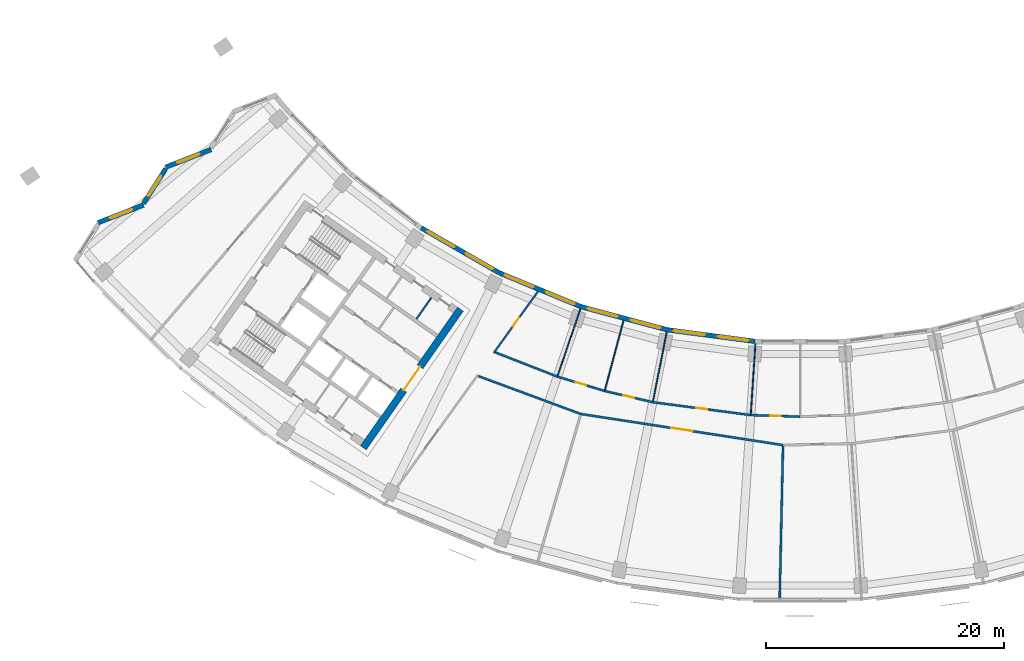
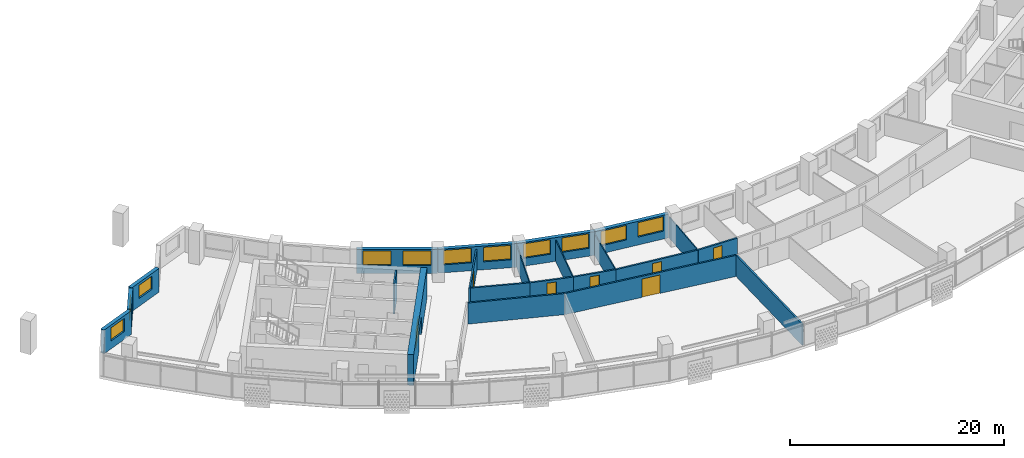
# One storey, part 4 of 26: 22 walls, 11 windows, 7 doors, 18 openings.
"""IFC4 building model written with IfcOpenShell, lengths in metres."""

from ifc_helpers import new_model, si_unit, direction, frame, frame_2d, origin, place, context, subcontext, project, spatial, rectangle, extrude, material, layer, layer_set, type_object, element, fill, save


model = new_model("IFC4")

# Units and contexts
model_context = context("Model", 3, precision=1e-05, world=origin(), true_north=direction((0.0, 1.0)))
body_context = subcontext(model_context, "Body", "Model", "MODEL_VIEW")
ifc_project = project(units=[si_unit("LENGTHUNIT", "METRE"), si_unit("AREAUNIT", "SQUARE_METRE"), si_unit("VOLUMEUNIT", "CUBIC_METRE"), si_unit("PLANEANGLEUNIT", "RADIAN"), si_unit("MASSUNIT", "GRAM", prefix="KILO")], contexts=[model_context])

# Site, building, storey
site_placement = place(None, origin())
site = spatial("IfcSite", under=ifc_project, at=site_placement, CompositionType="ELEMENT")
building_placement = place(site_placement, origin())
building = spatial("IfcBuilding", under=site, at=building_placement, Name="Qamariyya Broadcast Tower", CompositionType="ELEMENT")
storey_placement = place(building_placement, frame((0.0, 0.0, 168.300048828125)))
storey = spatial("IfcBuildingStorey", under=building, at=storey_placement, Name="L39", CompositionType="ELEMENT", Elevation=168.300048828125)

# Wall, opening, door
ifc_material_1 = material(Name="Concrete C60/75", Category="concrete")
ifc_layer_1 = layer(ifc_material_1, 0.60009765625)
ifc_layer_set_1 = layer_set([ifc_layer_1], Name="Core wall 600 mm Concrete C60/75")
wall_type_1 = type_object("IfcWallType", Name="Core wall 600 mm Concrete C60/75", PredefinedType="SHEAR", material=ifc_layer_set_1)
wall_1_placement = place(storey_placement, frame((-36.66748046875, -66.005126953125, 0.0), z_axis=(0.0, 0.0, 1.0), x_axis=(0.573568499524, 0.819157601658, 0.0)))
wall_1 = element("IfcWall", 1, at=wall_1_placement, inside=storey, type_object=wall_type_1, Name="k-W-L39-WA", PredefinedType="SHEAR", context=body_context, shape_type="SweptSolid", body=[
    extrude(rectangle(XDim=14.19970703125, YDim=0.60009765625, at=frame_2d((7.099853515625, 0.0))), origin(), (0.0, 0.0, 1.0), 3.5),
])
opening_1_placement = place(wall_1_placement, frame((5.89990234375, 0.0, 0.0)))
opening_1 = element("IfcOpeningElement", 2, at=opening_1_placement, cuts=wall_1, Name="Opening KD3-W1", PredefinedType="OPENING", context=body_context, shape_type="SweptSolid", body=[
    extrude(rectangle(XDim=2.39990234375, YDim=2.10009765625, at=frame_2d((1.199951171875, 1.050048828125))), frame((0.0, 0.31005859375, 0.0), z_axis=(0.0, -1.0, 0.0), x_axis=(1.0, 0.0, 0.0)), (0.0, 0.0, 1.0), 0.6201171875),
])
ifc_material_2 = material(Name="Steel fire-resisting door leaf", Category="steel")
door_type_1 = type_object("IfcDoorType", Name="Lift lobby door KD3", OperationType="DOUBLE_DOOR_SINGLE_SWING", PredefinedType="DOOR", material=ifc_material_2)
door_1_placement = place(opening_1_placement, origin())
door_1 = element("IfcDoor", 3, at=door_1_placement, inside=storey, type_object=door_type_1, Name="k-W-L39-WA-D1", OperationType="DOUBLE_DOOR_SINGLE_SWING", OverallHeight=2.10009765625, OverallWidth=2.39990234375, PredefinedType="DOOR", context=body_context, shape_type="SweptSolid", body=[
    extrude(rectangle(XDim=2.39990234375, YDim=2.10009765625, at=frame_2d((1.199951171875, 1.050048828125))), frame((0.0, 0.02490234375, 0.0), z_axis=(0.0, -1.0, 0.0), x_axis=(1.0, 0.0, 0.0)), (0.0, 0.0, 1.0), 0.050048828125),
])
fill(opening_1, door_1)

ifc_material_3 = material(Name="Gypsum board partition")
ifc_layer_2 = layer(ifc_material_3, 0.14990234375)
ifc_layer_set_2 = layer_set([ifc_layer_2], Name="Corridor partition 150 EI 60")
wall_type_2 = type_object("IfcWallType", Name="Corridor partition 150 EI 60", PredefinedType="PARTITIONING", material=ifc_layer_set_2)
wall_2_placement = place(storey_placement, frame((-22.0, -52.873046875, 0.0), z_axis=(0.0, 0.0, 1.0), x_axis=(-0.584145217468, -0.811649163684, 0.0)))
wall_2 = element("IfcWall", 4, at=wall_2_placement, inside=storey, type_object=wall_type_2, Name="Partition L39-006", PredefinedType="PARTITIONING", context=body_context, shape_type="SweptSolid", body=[
    extrude(rectangle(XDim=6.37109375, YDim=0.14990234375, at=frame_2d((3.185546875, 0.0))), origin(), (0.0, 0.0, 1.0), 2.39990234375),
])
opening_2_placement = place(wall_2_placement, frame((2.735595703125, 0.0, 0.0)))
opening_2 = element("IfcOpeningElement", 5, at=opening_2_placement, cuts=wall_2, Name="Opening L39-D06", PredefinedType="OPENING", context=body_context, shape_type="SweptSolid", body=[
    extrude(rectangle(XDim=0.89990234375, YDim=2.10009765625, at=frame_2d((0.449951171875, 1.050048828125))), frame((0.0, 0.0849609375, 0.0), z_axis=(0.0, -1.0, 0.0), x_axis=(1.0, 0.0, 0.0)), (0.0, 0.0, 1.0), 0.169921875),
])
ifc_material_4 = material(Name="Timber fire door leaf", Category="wood")
door_type_2 = type_object("IfcDoorType", Name="Fire door 900 x 2100 FD60", OperationType="NOTDEFINED", PredefinedType="DOOR", material=ifc_material_4)
door_2_placement = place(opening_2_placement, origin())
door_2 = element("IfcDoor", 6, at=door_2_placement, inside=storey, type_object=door_type_2, Name="Door L39-D06", OperationType="SINGLE_SWING_RIGHT", OverallHeight=2.10009765625, OverallWidth=0.89990234375, PredefinedType="DOOR", context=body_context, shape_type="SweptSolid", body=[
    extrude(rectangle(XDim=0.89990234375, YDim=2.10009765625, at=frame_2d((0.449951171875, 1.050048828125))), frame((0.0, 0.02490234375, 0.0), z_axis=(0.0, -1.0, 0.0), x_axis=(1.0, 0.0, 0.0)), (0.0, 0.0, 1.0), 0.050048828125),
])
fill(opening_2, door_2)

# Walls
ifc_material_5 = material(Name="Gypsum board partition on steel studs", Category="steel")
ifc_layer_3 = layer(ifc_material_5, 0.14990234375)
ifc_layer_set_3 = layer_set([ifc_layer_3], Name="Gypsum board partition 150 mm")
wall_type_3 = type_object("IfcWallType", Name="Gypsum board partition 150 mm", PredefinedType="PARTITIONING", material=ifc_layer_set_3)
wall_3_placement = place(storey_placement, frame((-32.2177734375, -55.204345703125, 0.0), z_axis=(0.0, 0.0, 1.0), x_axis=(0.573581496053, 0.819148501424, 0.0)))
element("IfcWall", 7, at=wall_3_placement, inside=storey, type_object=wall_type_3, Name="k-W-L39-NP225", PredefinedType="PARTITIONING", context=body_context, shape_type="SweptSolid", body=[
    extrude(rectangle(XDim=2.2001953125, YDim=0.14990234375, at=frame_2d((1.10009765625, 0.0))), origin(), (0.0, 0.0, 1.0), 3.5),
])
ifc_layer_4 = layer(ifc_material_3, 0.10009765625)
ifc_layer_set_4 = layer_set([ifc_layer_4], Name="Partition 100")
wall_type_4 = type_object("IfcWallType", Name="Partition 100", PredefinedType="PARTITIONING", material=ifc_layer_set_4)
wall_4_placement = place(storey_placement, frame((-18.45068359375, -54.353759765625, 0.0), z_axis=(0.0, 0.0, 1.0), x_axis=(-0.321427983423, -0.94693402699, 0.0)))
element("IfcWall", 8, at=wall_4_placement, inside=storey, type_object=wall_type_4, Name="Partition L39-009", PredefinedType="PARTITIONING", context=body_context, shape_type="SweptSolid", body=[
    extrude(rectangle(XDim=5.91015625, YDim=0.10009765625, at=frame_2d((2.955078125, 0.0))), origin(), (0.0, 0.0, 1.0), 2.39990234375),
])
wall_5_placement = place(storey_placement, frame((-14.82470703125, -55.326171875, 0.0), z_axis=(0.0, 0.0, 1.0), x_axis=(-0.25878598704, -0.965934683564, 0.0)))
element("IfcWall", 9, at=wall_5_placement, inside=storey, type_object=wall_type_4, Name="Partition L39-011", PredefinedType="PARTITIONING", context=body_context, shape_type="SweptSolid", body=[
    extrude(rectangle(XDim=6.0322265625, YDim=0.10009765625, at=frame_2d((3.01611328125, 0.0))), origin(), (0.0, 0.0, 1.0), 2.39990234375),
])
wall_6_placement = place(storey_placement, frame((-11.1982421875, -56.297119140625, 0.0), z_axis=(0.0, 0.0, 1.0), x_axis=(-0.195067376167, -0.980789844337, 0.0)))
element("IfcWall", 10, at=wall_6_placement, inside=storey, type_object=wall_type_4, Name="Partition L39-013", PredefinedType="PARTITIONING", context=body_context, shape_type="SweptSolid", body=[
    extrude(rectangle(XDim=5.909912109375, YDim=0.10009765625, at=frame_2d((2.955078125, 0.0))), origin(), (0.0, 0.0, 1.0), 2.39990234375),
])
wall_7_placement = place(storey_placement, frame((-3.754150390625, -57.277099609375, 0.0), z_axis=(0.0, 0.0, 1.0), x_axis=(-0.065392110393, -0.99785964539, 0.0)))
element("IfcWall", 11, at=wall_7_placement, inside=storey, type_object=wall_type_4, Name="Partition L39-015", PredefinedType="PARTITIONING", context=body_context, shape_type="SweptSolid", body=[
    extrude(rectangle(XDim=5.91015625, YDim=0.10009765625, at=frame_2d((2.955078125, 0.0))), origin(), (0.0, 0.0, 1.0), 2.39990234375),
])
ifc_layer_5 = layer(ifc_material_3, 0.179931640625)
ifc_layer_set_5 = layer_set([ifc_layer_5], Name="Studio acoustic partition 180 EI 60")
wall_type_5 = type_object("IfcWallType", Name="Studio acoustic partition 180 EI 60", PredefinedType="PARTITIONING", material=ifc_layer_set_5)
wall_8_placement = place(storey_placement, frame((-27.0302734375, -59.98583984375, 0.0), z_axis=(0.0, 0.0, 1.0), x_axis=(0.93796819355, -0.346721311557, 0.0)))
element("IfcWall", 12, at=wall_8_placement, inside=storey, type_object=wall_type_5, Name="Partition L39-003", PredefinedType="PARTITIONING", context=body_context, shape_type="SweptSolid", body=[
    extrude(rectangle(XDim=9.185546875, YDim=0.179931640625, at=frame_2d((4.5927734375, 0.0))), origin(), (0.0, 0.0, 1.0), 2.39990234375),
])
wall_9_placement = place(storey_placement, frame((-25.599365234375, -57.998291015625, 0.0), z_axis=(0.0, 0.0, 1.0), x_axis=(0.931580498527, -0.363535108021, 0.0)))
element("IfcWall", 13, at=wall_9_placement, inside=storey, type_object=wall_type_5, Name="Partition L39-004", PredefinedType="PARTITIONING", context=body_context, shape_type="SweptSolid", body=[
    extrude(rectangle(XDim=5.603515625, YDim=0.179931640625, at=frame_2d((2.8017578125, 0.0))), origin(), (0.0, 0.0, 1.0), 2.39990234375),
])

# Wall, opening, door
wall_10_placement = place(storey_placement, frame((-20.379150390625, -60.035400390625, 0.0), z_axis=(0.0, 0.0, 1.0), x_axis=(0.956935765286, -0.290299743568, 0.0)))
wall_10 = element("IfcWall", 14, at=wall_10_placement, inside=storey, type_object=wall_type_5, Name="Partition L39-007", PredefinedType="PARTITIONING", context=body_context, shape_type="SweptSolid", body=[
    extrude(rectangle(XDim=4.148681640625, YDim=0.179931640625, at=frame_2d((2.07421875, 0.0))), origin(), (0.0, 0.0, 1.0), 2.39990234375),
])
opening_3_placement = place(wall_10_placement, frame((1.62451171875, 0.0, 0.0)))
opening_3 = element("IfcOpeningElement", 15, at=opening_3_placement, cuts=wall_10, Name="Opening L39-D07", PredefinedType="OPENING", context=body_context, shape_type="SweptSolid", body=[
    extrude(rectangle(XDim=0.89990234375, YDim=2.10009765625, at=frame_2d((0.449951171875, 1.050048828125))), frame((0.0, 0.099853515625, 0.0), z_axis=(0.0, -1.0, 0.0), x_axis=(1.0, 0.0, 0.0)), (0.0, 0.0, 1.0), 0.199951171875),
])
door_3_placement = place(opening_3_placement, origin())
door_3 = element("IfcDoor", 16, at=door_3_placement, inside=storey, type_object=door_type_2, Name="Door L39-D07", OperationType="SINGLE_SWING_RIGHT", OverallHeight=2.10009765625, OverallWidth=0.89990234375, PredefinedType="DOOR", context=body_context, shape_type="SweptSolid", body=[
    extrude(rectangle(XDim=0.89990234375, YDim=2.10009765625, at=frame_2d((0.449951171875, 1.050048828125))), frame((0.0, 0.02490234375, 0.0), z_axis=(0.0, -1.0, 0.0), x_axis=(1.0, 0.0, 0.0)), (0.0, 0.0, 1.0), 0.050048828125),
])
fill(opening_3, door_3)

wall_11_placement = place(storey_placement, frame((-1.437255859375, -65.7841796875, 0.0), z_axis=(0.0, 0.0, 1.0), x_axis=(-0.988357398133, 0.152150102058, 0.0)))
wall_11 = element("IfcWall", 17, at=wall_11_placement, inside=storey, type_object=wall_type_5, Name="Partition L39-008", PredefinedType="PARTITIONING", context=body_context, shape_type="SweptSolid", body=[
    extrude(rectangle(XDim=17.17724609375, YDim=0.179931640625, at=frame_2d((8.588623046875, 0.0))), origin(), (0.0, 0.0, 1.0), 2.39990234375),
])
opening_4_placement = place(wall_11_placement, frame((7.688720703125, 0.0, 0.0)))
opening_4 = element("IfcOpeningElement", 18, at=opening_4_placement, cuts=wall_11, Name="Opening L39-D02", PredefinedType="OPENING", context=body_context, shape_type="SweptSolid", body=[
    extrude(rectangle(XDim=1.800048828125, YDim=2.10009765625, at=frame_2d((0.89990234375, 1.050048828125))), frame((0.0, 0.099853515625, 0.0), z_axis=(0.0, -1.0, 0.0), x_axis=(1.0, 0.0, 0.0)), (0.0, 0.0, 1.0), 0.199951171875),
])
door_type_3 = type_object("IfcDoorType", Name="Double fire door 1800 x 2100 FD60", OperationType="NOTDEFINED", PredefinedType="DOOR", material=ifc_material_4)
door_4_placement = place(opening_4_placement, origin())
door_4 = element("IfcDoor", 19, at=door_4_placement, inside=storey, type_object=door_type_3, Name="Door L39-D02", OperationType="DOUBLE_DOOR_SINGLE_SWING", OverallHeight=2.10009765625, OverallWidth=1.800048828125, PredefinedType="DOOR", context=body_context, shape_type="SweptSolid", body=[
    extrude(rectangle(XDim=1.800048828125, YDim=2.10009765625, at=frame_2d((0.89990234375, 1.050048828125))), frame((0.0, 0.02490234375, 0.0), z_axis=(0.0, -1.0, 0.0), x_axis=(1.0, 0.0, 0.0)), (0.0, 0.0, 1.0), 0.050048828125),
])
fill(opening_4, door_4)

wall_12_placement = place(storey_placement, frame((-16.4091796875, -61.23974609375, 0.0), z_axis=(0.0, 0.0, 1.0), x_axis=(0.973875922187, -0.227080796599, 0.0)))
wall_12 = element("IfcWall", 20, at=wall_12_placement, inside=storey, type_object=wall_type_5, Name="Partition L39-010", PredefinedType="PARTITIONING", context=body_context, shape_type="SweptSolid", body=[
    extrude(rectangle(XDim=4.14892578125, YDim=0.179931640625, at=frame_2d((2.074462890625, 0.0))), origin(), (0.0, 0.0, 1.0), 2.39990234375),
])
opening_5_placement = place(wall_12_placement, frame((1.62451171875, 0.0, 0.0)))
opening_5 = element("IfcOpeningElement", 21, at=opening_5_placement, cuts=wall_12, Name="Opening L39-D08", PredefinedType="OPENING", context=body_context, shape_type="SweptSolid", body=[
    extrude(rectangle(XDim=0.89990234375, YDim=2.10009765625, at=frame_2d((0.449951171875, 1.050048828125))), frame((0.0, 0.099853515625, 0.0), z_axis=(0.0, -1.0, 0.0), x_axis=(1.0, 0.0, 0.0)), (0.0, 0.0, 1.0), 0.199951171875),
])
door_5_placement = place(opening_5_placement, origin())
door_5 = element("IfcDoor", 22, at=door_5_placement, inside=storey, type_object=door_type_2, Name="Door L39-D08", OperationType="SINGLE_SWING_RIGHT", OverallHeight=2.10009765625, OverallWidth=0.89990234375, PredefinedType="DOOR", context=body_context, shape_type="SweptSolid", body=[
    extrude(rectangle(XDim=0.89990234375, YDim=2.10009765625, at=frame_2d((0.449951171875, 1.050048828125))), frame((0.0, 0.02490234375, 0.0), z_axis=(0.0, -1.0, 0.0), x_axis=(1.0, 0.0, 0.0)), (0.0, 0.0, 1.0), 0.050048828125),
])
fill(opening_5, door_5)

wall_13_placement = place(storey_placement, frame((-12.36865234375, -62.181884765625, 0.0), z_axis=(0.0, 0.0, 1.0), x_axis=(0.991447881484, -0.130503250152, 0.0)))
wall_13 = element("IfcWall", 23, at=wall_13_placement, inside=storey, type_object=wall_type_5, Name="Partition L39-012", PredefinedType="PARTITIONING", context=body_context, shape_type="SweptSolid", body=[
    extrude(rectangle(XDim=8.293212890625, YDim=0.179931640625, at=frame_2d((4.146484375, 0.0))), origin(), (0.0, 0.0, 1.0), 2.39990234375),
])
opening_6_placement = place(wall_13_placement, frame((3.696533203125, 0.0, 0.0)))
opening_6 = element("IfcOpeningElement", 24, at=opening_6_placement, cuts=wall_13, Name="Opening L39-D09", PredefinedType="OPENING", context=body_context, shape_type="SweptSolid", body=[
    extrude(rectangle(XDim=0.89990234375, YDim=2.10009765625, at=frame_2d((0.449951171875, 1.050048828125))), frame((0.0, 0.099853515625, 0.0), z_axis=(0.0, -1.0, 0.0), x_axis=(1.0, 0.0, 0.0)), (0.0, 0.0, 1.0), 0.199951171875),
])
door_6_placement = place(opening_6_placement, origin())
door_6 = element("IfcDoor", 25, at=door_6_placement, inside=storey, type_object=door_type_2, Name="Door L39-D09", OperationType="SINGLE_SWING_RIGHT", OverallHeight=2.10009765625, OverallWidth=0.89990234375, PredefinedType="DOOR", context=body_context, shape_type="SweptSolid", body=[
    extrude(rectangle(XDim=0.89990234375, YDim=2.10009765625, at=frame_2d((0.449951171875, 1.050048828125))), frame((0.0, 0.02490234375, 0.0), z_axis=(0.0, -1.0, 0.0), x_axis=(1.0, 0.0, 0.0)), (0.0, 0.0, 1.0), 0.050048828125),
])
fill(opening_6, door_6)

wall_14_placement = place(storey_placement, frame((-4.146484375, -63.26416015625, 0.0), z_axis=(0.0, 0.0, 1.0), x_axis=(0.999464584765, -0.032719165634, 0.0)))
wall_14 = element("IfcWall", 26, at=wall_14_placement, inside=storey, type_object=wall_type_5, Name="Partition L39-014", PredefinedType="PARTITIONING", context=body_context, shape_type="SweptSolid", body=[
    extrude(rectangle(XDim=4.148681640625, YDim=0.179931640625, at=frame_2d((2.07421875, 0.0))), origin(), (0.0, 0.0, 1.0), 2.39990234375),
])
opening_7_placement = place(wall_14_placement, frame((1.62451171875, 0.0, 0.0)))
opening_7 = element("IfcOpeningElement", 27, at=opening_7_placement, cuts=wall_14, Name="Opening L39-D10", PredefinedType="OPENING", context=body_context, shape_type="SweptSolid", body=[
    extrude(rectangle(XDim=0.89990234375, YDim=2.10009765625, at=frame_2d((0.449951171875, 1.050048828125))), frame((0.0, 0.099853515625, 0.0), z_axis=(0.0, -1.0, 0.0), x_axis=(1.0, 0.0, 0.0)), (0.0, 0.0, 1.0), 0.199951171875),
])
door_7_placement = place(opening_7_placement, origin())
door_7 = element("IfcDoor", 28, at=door_7_placement, inside=storey, type_object=door_type_2, Name="Door L39-D10", OperationType="SINGLE_SWING_RIGHT", OverallHeight=2.10009765625, OverallWidth=0.89990234375, PredefinedType="DOOR", context=body_context, shape_type="SweptSolid", body=[
    extrude(rectangle(XDim=0.89990234375, YDim=2.10009765625, at=frame_2d((0.449951171875, 1.050048828125))), frame((0.0, 0.02490234375, 0.0), z_axis=(0.0, -1.0, 0.0), x_axis=(1.0, 0.0, 0.0)), (0.0, 0.0, 1.0), 0.050048828125),
])
fill(opening_7, door_7)

# Wall
wall_15_placement = place(storey_placement, frame((-1.718017578125, -78.630859375, 0.0), z_axis=(0.0, 0.0, 1.0), x_axis=(0.021850822734, 0.99976124227, 0.0)))
element("IfcWall", 29, at=wall_15_placement, inside=storey, type_object=wall_type_5, Name="Partition L39-016", PredefinedType="PARTITIONING", context=body_context, shape_type="SweptSolid", body=[
    extrude(rectangle(XDim=12.759521484375, YDim=0.179931640625, at=frame_2d((6.3798828125, 0.0))), origin(), (0.0, 0.0, 1.0), 2.39990234375),
])

# Wall, opening, window
ifc_material_6 = material(Name="Terracotta", Category="masonry")
ifc_layer_6 = layer(ifc_material_6, 0.39990234375)
ifc_layer_set_6 = layer_set([ifc_layer_6], Name="Terracotta clad wall 400")
wall_type_6 = type_object("IfcWallType", Name="Terracotta clad wall 400", PredefinedType="SOLIDWALL", material=ifc_layer_set_6)
wall_16_placement = place(storey_placement, frame((-49.454345703125, -40.96923828125, 0.0), z_axis=(0.0, 0.0, 1.0), x_axis=(-0.932024844357, -0.362394383927, 0.0)))
wall_16 = element("IfcWall", 30, at=wall_16_placement, inside=storey, type_object=wall_type_6, Name="e-wl-L39-capW2", PredefinedType="SOLIDWALL", context=body_context, shape_type="SweptSolid", body=[
    extrude(rectangle(XDim=4.087890625, YDim=0.39990234375, at=frame_2d((2.0439453125, 0.0))), origin(), (0.0, 0.0, 1.0), 2.699951171875),
])
opening_8_placement = place(wall_16_placement, frame((1.0439453125, 0.0, 0.89990234375)))
opening_8 = element("IfcOpeningElement", 31, at=opening_8_placement, cuts=wall_16, Name="Opening W4", PredefinedType="OPENING", context=body_context, shape_type="SweptSolid", body=[
    extrude(rectangle(XDim=2.0, YDim=1.5, at=frame_2d((1.0, 0.75))), frame((0.0, 0.2099609375, 0.0), z_axis=(0.0, -1.0, 0.0), x_axis=(1.0, 0.0, 0.0)), (0.0, 0.0, 1.0), 0.419921875),
])
ifc_material_7 = material(Name="Clear low-e double glazed unit in aluminium frame", Category="aluminium")
window_type_1 = type_object("IfcWindowType", Name="Horn bay window 2000 x 1500", PartitioningType="SINGLE_PANEL", PredefinedType="WINDOW", material=ifc_material_7)
window_1_placement = place(opening_8_placement, origin())
window_1 = element("IfcWindow", 32, at=window_1_placement, inside=storey, type_object=window_type_1, Name="e-w-L39-capW2", OverallHeight=1.5, OverallWidth=2.0, PartitioningType="SINGLE_PANEL", PredefinedType="WINDOW", context=body_context, shape_type="SweptSolid", body=[
    extrude(rectangle(XDim=2.0, YDim=1.5, at=frame_2d((1.0, 0.75))), frame((0.0, 0.030029296875, 0.0), z_axis=(0.0, -1.0, 0.0), x_axis=(1.0, 0.0, 0.0)), (0.0, 0.0, 1.0), 0.06005859375),
])
fill(opening_8, window_1)

wall_17_placement = place(storey_placement, frame((-53.267822265625, -42.58837890625, 0.0), z_axis=(0.0, 0.0, 1.0), x_axis=(-0.537477193055, -0.843278285589, 0.0)))
wall_17 = element("IfcWall", 33, at=wall_17_placement, inside=storey, type_object=wall_type_6, Name="e-wl-L39-capW3", PredefinedType="SOLIDWALL", context=body_context, shape_type="SweptSolid", body=[
    extrude(rectangle(XDim=3.4384765625, YDim=0.39990234375, at=frame_2d((1.71923828125, 0.0))), origin(), (0.0, 0.0, 1.0), 2.699951171875),
])
opening_9_placement = place(wall_17_placement, frame((0.71923828125, 0.0, 0.89990234375)))
opening_9 = element("IfcOpeningElement", 34, at=opening_9_placement, cuts=wall_17, Name="Opening W4", PredefinedType="OPENING", context=body_context, shape_type="SweptSolid", body=[
    extrude(rectangle(XDim=2.0, YDim=1.5, at=frame_2d((1.0, 0.75))), frame((0.0, 0.2099609375, 0.0), z_axis=(0.0, -1.0, 0.0), x_axis=(1.0, 0.0, 0.0)), (0.0, 0.0, 1.0), 0.419921875),
])
window_2_placement = place(opening_9_placement, origin())
window_2 = element("IfcWindow", 35, at=window_2_placement, inside=storey, type_object=window_type_1, Name="e-w-L39-capW3", OverallHeight=1.5, OverallWidth=2.0, PartitioningType="SINGLE_PANEL", PredefinedType="WINDOW", context=body_context, shape_type="SweptSolid", body=[
    extrude(rectangle(XDim=2.0, YDim=1.5, at=frame_2d((1.0, 0.75))), frame((0.0, 0.030029296875, 0.0), z_axis=(0.0, -1.0, 0.0), x_axis=(1.0, 0.0, 0.0)), (0.0, 0.0, 1.0), 0.06005859375),
])
fill(opening_9, window_2)

wall_18_placement = place(storey_placement, frame((-55.11962890625, -45.625732421875, 0.0), z_axis=(0.0, 0.0, 1.0), x_axis=(-0.931987862554, -0.362489481297, 0.0)))
wall_18 = element("IfcWall", 36, at=wall_18_placement, inside=storey, type_object=wall_type_6, Name="e-wl-L39-capW4", PredefinedType="SOLIDWALL", context=body_context, shape_type="SweptSolid", body=[
    extrude(rectangle(XDim=4.0888671875, YDim=0.39990234375, at=frame_2d((2.04443359375, 0.0))), origin(), (0.0, 0.0, 1.0), 2.699951171875),
])
opening_10_placement = place(wall_18_placement, frame((1.04443359375, 0.0, 0.89990234375)))
opening_10 = element("IfcOpeningElement", 37, at=opening_10_placement, cuts=wall_18, Name="Opening W4", PredefinedType="OPENING", context=body_context, shape_type="SweptSolid", body=[
    extrude(rectangle(XDim=2.0, YDim=1.5, at=frame_2d((1.0, 0.75))), frame((0.0, 0.2099609375, 0.0), z_axis=(0.0, -1.0, 0.0), x_axis=(1.0, 0.0, 0.0)), (0.0, 0.0, 1.0), 0.419921875),
])
window_3_placement = place(opening_10_placement, origin())
window_3 = element("IfcWindow", 38, at=window_3_placement, inside=storey, type_object=window_type_1, Name="e-w-L39-capW4", OverallHeight=1.5, OverallWidth=2.0, PartitioningType="SINGLE_PANEL", PredefinedType="WINDOW", context=body_context, shape_type="SweptSolid", body=[
    extrude(rectangle(XDim=2.0, YDim=1.5, at=frame_2d((1.0, 0.75))), frame((0.0, 0.030029296875, 0.0), z_axis=(0.0, -1.0, 0.0), x_axis=(1.0, 0.0, 0.0)), (0.0, 0.0, 1.0), 0.06005859375),
])
fill(opening_10, window_3)

# Wall, openings, windows
wall_19_placement = place(storey_placement, frame((-25.27734375, -51.31396484375, 0.0), z_axis=(0.0, 0.0, 1.0), x_axis=(-0.866028517328, 0.499994607145, 0.0)))
wall_19 = element("IfcWall", 39, at=wall_19_placement, inside=storey, type_object=wall_type_6, Name="e-wl-L39-in30", PredefinedType="SOLIDWALL", context=body_context, shape_type="SweptSolid", body=[
    extrude(rectangle(XDim=7.5322265625, YDim=0.39990234375, at=frame_2d((3.76611328125, 0.0))), origin(), (0.0, 0.0, 1.0), 2.699951171875),
])
opening_11_placement = place(wall_19_placement, frame((4.330078125, 0.0, 0.89990234375)))
opening_11 = element("IfcOpeningElement", 40, at=opening_11_placement, cuts=wall_19, Name="Opening W1", PredefinedType="OPENING", context=body_context, shape_type="SweptSolid", body=[
    extrude(rectangle(XDim=2.60009765625, YDim=1.64990234375, at=frame_2d((1.300048828125, 0.824951171875))), frame((0.0, 0.2099609375, 0.0), z_axis=(0.0, -1.0, 0.0), x_axis=(1.0, 0.0, 0.0)), (0.0, 0.0, 1.0), 0.419921875),
])
opening_12_placement = place(wall_19_placement, frame((0.60205078125, 0.0, 0.89990234375)))
opening_12 = element("IfcOpeningElement", 41, at=opening_12_placement, cuts=wall_19, Name="Opening W1", PredefinedType="OPENING", context=body_context, shape_type="SweptSolid", body=[
    extrude(rectangle(XDim=2.60009765625, YDim=1.64990234375, at=frame_2d((1.300048828125, 0.824951171875))), frame((0.0, 0.2099609375, 0.0), z_axis=(0.0, -1.0, 0.0), x_axis=(1.0, 0.0, 0.0)), (0.0, 0.0, 1.0), 0.419921875),
])
window_type_2 = type_object("IfcWindowType", Name="Ribbon window 2600 x 1650", PartitioningType="SINGLE_PANEL", PredefinedType="WINDOW", material=ifc_material_7)
window_4_placement = place(opening_11_placement, origin())
window_4 = element("IfcWindow", 42, at=window_4_placement, inside=storey, type_object=window_type_2, Name="e-w-L39-in03-0", OverallHeight=1.64990234375, OverallWidth=2.60009765625, PartitioningType="SINGLE_PANEL", PredefinedType="WINDOW", context=body_context, shape_type="SweptSolid", body=[
    extrude(rectangle(XDim=2.60009765625, YDim=1.64990234375, at=frame_2d((1.300048828125, 0.824951171875))), frame((0.0, 0.030029296875, 0.0), z_axis=(0.0, -1.0, 0.0), x_axis=(1.0, 0.0, 0.0)), (0.0, 0.0, 1.0), 0.06005859375),
])
fill(opening_11, window_4)
window_5_placement = place(opening_12_placement, origin())
window_5 = element("IfcWindow", 43, at=window_5_placement, inside=storey, type_object=window_type_2, Name="e-w-L39-in03-1", OverallHeight=1.64990234375, OverallWidth=2.60009765625, PartitioningType="SINGLE_PANEL", PredefinedType="WINDOW", context=body_context, shape_type="SweptSolid", body=[
    extrude(rectangle(XDim=2.60009765625, YDim=1.64990234375, at=frame_2d((1.300048828125, 0.824951171875))), frame((0.0, 0.030029296875, 0.0), z_axis=(0.0, -1.0, 0.0), x_axis=(1.0, 0.0, 0.0)), (0.0, 0.0, 1.0), 0.06005859375),
])
fill(opening_12, window_5)

wall_20_placement = place(storey_placement, frame((-18.433349609375, -54.1455078125, 0.0), z_axis=(0.0, 0.0, 1.0), x_axis=(-0.923867659443, 0.382712095229, 0.0)))
wall_20 = element("IfcWall", 44, at=wall_20_placement, inside=storey, type_object=wall_type_6, Name="e-wl-L39-in40", PredefinedType="SOLIDWALL", context=body_context, shape_type="SweptSolid", body=[
    extrude(rectangle(XDim=7.380859375, YDim=0.39990234375, at=frame_2d((3.6904296875, 0.0))), origin(), (0.0, 0.0, 1.0), 2.699951171875),
])
opening_13_placement = place(wall_20_placement, frame((4.25439453125, 0.0, 0.89990234375)))
opening_13 = element("IfcOpeningElement", 45, at=opening_13_placement, cuts=wall_20, Name="Opening W1", PredefinedType="OPENING", context=body_context, shape_type="SweptSolid", body=[
    extrude(rectangle(XDim=2.60009765625, YDim=1.64990234375, at=frame_2d((1.300048828125, 0.824951171875))), frame((0.0, 0.2099609375, 0.0), z_axis=(0.0, -1.0, 0.0), x_axis=(1.0, 0.0, 0.0)), (0.0, 0.0, 1.0), 0.419921875),
])
opening_14_placement = place(wall_20_placement, frame((0.5263671875, 0.0, 0.89990234375)))
opening_14 = element("IfcOpeningElement", 46, at=opening_14_placement, cuts=wall_20, Name="Opening W1", PredefinedType="OPENING", context=body_context, shape_type="SweptSolid", body=[
    extrude(rectangle(XDim=2.60009765625, YDim=1.64990234375, at=frame_2d((1.300048828125, 0.824951171875))), frame((0.0, 0.2099609375, 0.0), z_axis=(0.0, -1.0, 0.0), x_axis=(1.0, 0.0, 0.0)), (0.0, 0.0, 1.0), 0.419921875),
])
window_6_placement = place(opening_13_placement, origin())
window_6 = element("IfcWindow", 47, at=window_6_placement, inside=storey, type_object=window_type_2, Name="e-w-L39-in04-0", OverallHeight=1.64990234375, OverallWidth=2.60009765625, PartitioningType="SINGLE_PANEL", PredefinedType="WINDOW", context=body_context, shape_type="SweptSolid", body=[
    extrude(rectangle(XDim=2.60009765625, YDim=1.64990234375, at=frame_2d((1.300048828125, 0.824951171875))), frame((0.0, 0.030029296875, 0.0), z_axis=(0.0, -1.0, 0.0), x_axis=(1.0, 0.0, 0.0)), (0.0, 0.0, 1.0), 0.06005859375),
])
fill(opening_13, window_6)
window_7_placement = place(opening_14_placement, origin())
window_7 = element("IfcWindow", 48, at=window_7_placement, inside=storey, type_object=window_type_2, Name="e-w-L39-in04-1", OverallHeight=1.64990234375, OverallWidth=2.60009765625, PartitioningType="SINGLE_PANEL", PredefinedType="WINDOW", context=body_context, shape_type="SweptSolid", body=[
    extrude(rectangle(XDim=2.60009765625, YDim=1.64990234375, at=frame_2d((1.300048828125, 0.824951171875))), frame((0.0, 0.030029296875, 0.0), z_axis=(0.0, -1.0, 0.0), x_axis=(1.0, 0.0, 0.0)), (0.0, 0.0, 1.0), 0.06005859375),
])
fill(opening_14, window_7)

wall_21_placement = place(storey_placement, frame((-11.135009765625, -56.10791015625, 0.0), z_axis=(0.0, 0.0, 1.0), x_axis=(-0.965927073219, 0.258814391452, 0.0)))
wall_21 = element("IfcWall", 49, at=wall_21_placement, inside=storey, type_object=wall_type_6, Name="e-wl-L39-in50", PredefinedType="SOLIDWALL", context=body_context, shape_type="SweptSolid", body=[
    extrude(rectangle(XDim=7.5322265625, YDim=0.39990234375, at=frame_2d((3.76611328125, 0.0))), origin(), (0.0, 0.0, 1.0), 2.699951171875),
])
opening_15_placement = place(wall_21_placement, frame((4.330078125, 0.0, 0.89990234375)))
opening_15 = element("IfcOpeningElement", 50, at=opening_15_placement, cuts=wall_21, Name="Opening W1", PredefinedType="OPENING", context=body_context, shape_type="SweptSolid", body=[
    extrude(rectangle(XDim=2.60009765625, YDim=1.64990234375, at=frame_2d((1.300048828125, 0.824951171875))), frame((0.0, 0.2099609375, 0.0), z_axis=(0.0, -1.0, 0.0), x_axis=(1.0, 0.0, 0.0)), (0.0, 0.0, 1.0), 0.419921875),
])
opening_16_placement = place(wall_21_placement, frame((0.60205078125, 0.0, 0.89990234375)))
opening_16 = element("IfcOpeningElement", 51, at=opening_16_placement, cuts=wall_21, Name="Opening W1", PredefinedType="OPENING", context=body_context, shape_type="SweptSolid", body=[
    extrude(rectangle(XDim=2.60009765625, YDim=1.64990234375, at=frame_2d((1.300048828125, 0.824951171875))), frame((0.0, 0.2099609375, 0.0), z_axis=(0.0, -1.0, 0.0), x_axis=(1.0, 0.0, 0.0)), (0.0, 0.0, 1.0), 0.419921875),
])
window_8_placement = place(opening_15_placement, origin())
window_8 = element("IfcWindow", 52, at=window_8_placement, inside=storey, type_object=window_type_2, Name="e-w-L39-in05-0", OverallHeight=1.64990234375, OverallWidth=2.60009765625, PartitioningType="SINGLE_PANEL", PredefinedType="WINDOW", context=body_context, shape_type="SweptSolid", body=[
    extrude(rectangle(XDim=2.60009765625, YDim=1.64990234375, at=frame_2d((1.300048828125, 0.824951171875))), frame((0.0, 0.030029296875, 0.0), z_axis=(0.0, -1.0, 0.0), x_axis=(1.0, 0.0, 0.0)), (0.0, 0.0, 1.0), 0.06005859375),
])
fill(opening_15, window_8)
window_9_placement = place(opening_16_placement, origin())
window_9 = element("IfcWindow", 53, at=window_9_placement, inside=storey, type_object=window_type_2, Name="e-w-L39-in05-1", OverallHeight=1.64990234375, OverallWidth=2.60009765625, PartitioningType="SINGLE_PANEL", PredefinedType="WINDOW", context=body_context, shape_type="SweptSolid", body=[
    extrude(rectangle(XDim=2.60009765625, YDim=1.64990234375, at=frame_2d((1.300048828125, 0.824951171875))), frame((0.0, 0.030029296875, 0.0), z_axis=(0.0, -1.0, 0.0), x_axis=(1.0, 0.0, 0.0)), (0.0, 0.0, 1.0), 0.06005859375),
])
fill(opening_16, window_9)

wall_22_placement = place(storey_placement, frame((-3.79150390625, -57.0712890625, 0.0), z_axis=(0.0, 0.0, 1.0), x_axis=(-0.99144438474, 0.130529812564, 0.0)))
wall_22 = element("IfcWall", 54, at=wall_22_placement, inside=storey, type_object=wall_type_6, Name="e-wl-L39-in60", PredefinedType="SOLIDWALL", context=body_context, shape_type="SweptSolid", body=[
    extrude(rectangle(XDim=7.380615234375, YDim=0.39990234375, at=frame_2d((3.6904296875, 0.0))), origin(), (0.0, 0.0, 1.0), 2.699951171875),
])
opening_17_placement = place(wall_22_placement, frame((4.25439453125, 0.0, 0.89990234375)))
opening_17 = element("IfcOpeningElement", 55, at=opening_17_placement, cuts=wall_22, Name="Opening W1", PredefinedType="OPENING", context=body_context, shape_type="SweptSolid", body=[
    extrude(rectangle(XDim=2.60009765625, YDim=1.64990234375, at=frame_2d((1.300048828125, 0.824951171875))), frame((0.0, 0.2099609375, 0.0), z_axis=(0.0, -1.0, 0.0), x_axis=(1.0, 0.0, 0.0)), (0.0, 0.0, 1.0), 0.419921875),
])
opening_18_placement = place(wall_22_placement, frame((0.5263671875, 0.0, 0.89990234375)))
opening_18 = element("IfcOpeningElement", 56, at=opening_18_placement, cuts=wall_22, Name="Opening W1", PredefinedType="OPENING", context=body_context, shape_type="SweptSolid", body=[
    extrude(rectangle(XDim=2.60009765625, YDim=1.64990234375, at=frame_2d((1.300048828125, 0.824951171875))), frame((0.0, 0.2099609375, 0.0), z_axis=(0.0, -1.0, 0.0), x_axis=(1.0, 0.0, 0.0)), (0.0, 0.0, 1.0), 0.419921875),
])
window_10_placement = place(opening_17_placement, origin())
window_10 = element("IfcWindow", 57, at=window_10_placement, inside=storey, type_object=window_type_2, Name="e-w-L39-in06-0", OverallHeight=1.64990234375, OverallWidth=2.60009765625, PartitioningType="SINGLE_PANEL", PredefinedType="WINDOW", context=body_context, shape_type="SweptSolid", body=[
    extrude(rectangle(XDim=2.60009765625, YDim=1.64990234375, at=frame_2d((1.300048828125, 0.824951171875))), frame((0.0, 0.030029296875, 0.0), z_axis=(0.0, -1.0, 0.0), x_axis=(1.0, 0.0, 0.0)), (0.0, 0.0, 1.0), 0.06005859375),
])
fill(opening_17, window_10)
window_11_placement = place(opening_18_placement, origin())
window_11 = element("IfcWindow", 58, at=window_11_placement, inside=storey, type_object=window_type_2, Name="e-w-L39-in06-1", OverallHeight=1.64990234375, OverallWidth=2.60009765625, PartitioningType="SINGLE_PANEL", PredefinedType="WINDOW", context=body_context, shape_type="SweptSolid", body=[
    extrude(rectangle(XDim=2.60009765625, YDim=1.64990234375, at=frame_2d((1.300048828125, 0.824951171875))), frame((0.0, 0.030029296875, 0.0), z_axis=(0.0, -1.0, 0.0), x_axis=(1.0, 0.0, 0.0)), (0.0, 0.0, 1.0), 0.06005859375),
])
fill(opening_18, window_11)

save(model, "model.ifc")
